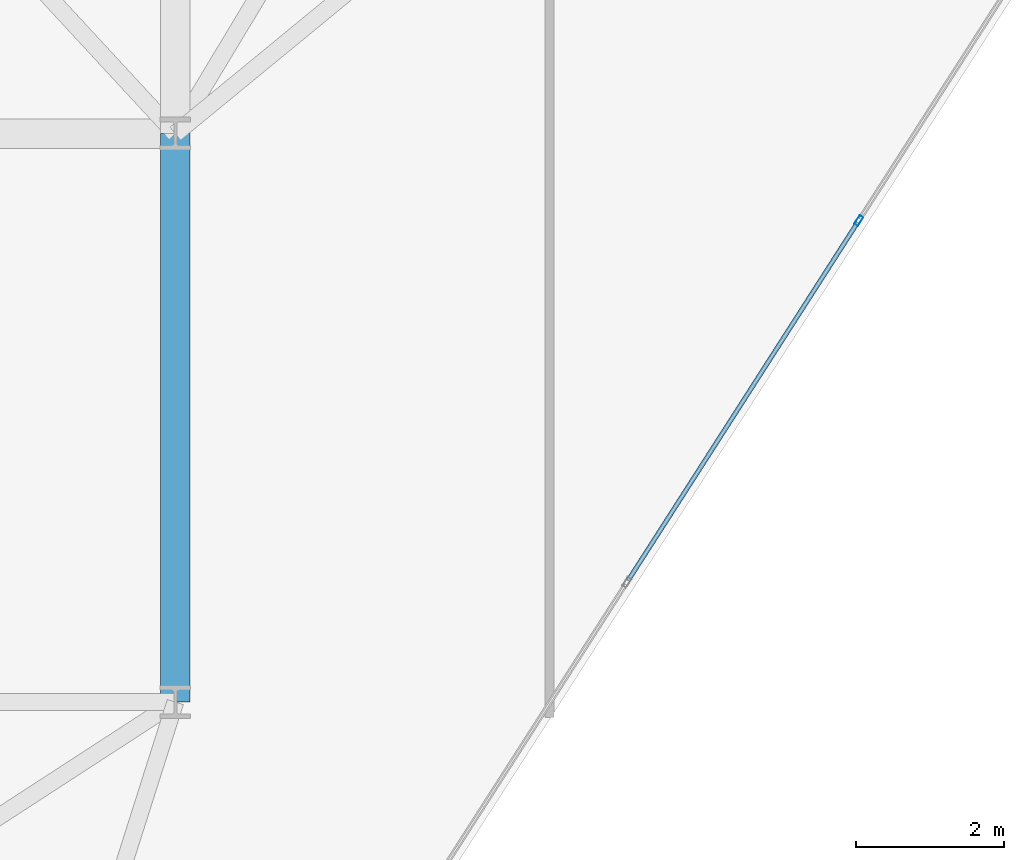
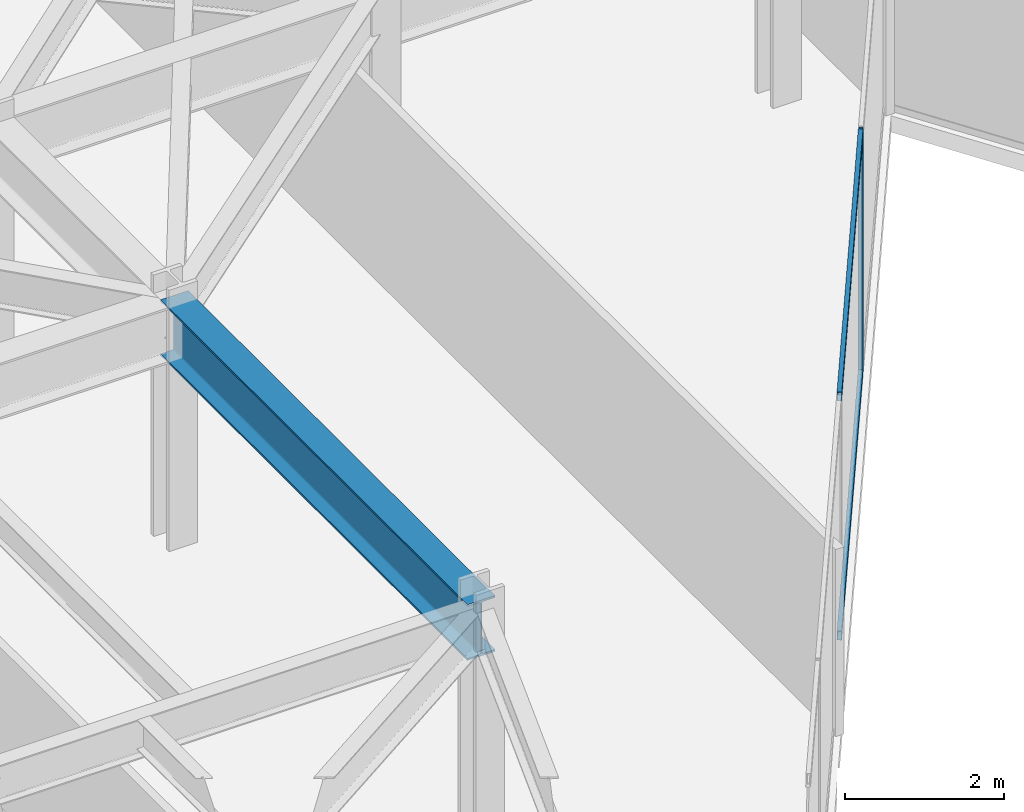
# One storey, part 8 of 26: 3 members, 1 beam, 1 element without a shape of its own.
"""IFC4 building model written with IfcOpenShell, lengths in metres."""

import ifcopenshell
import ifcopenshell.guid

model = None  # the IFC model being written
_history = None  # IfcOwnerHistory: only IFC2X3 demands one
_inside = {}  # id of a spatial element -> (the spatial element, [elements in it])
_under = {}  # id of a project, library or spatial element -> (it, [spatial elements below it])
_declared = {}  # id of a project -> (the project, [libraries it declares])
_typed = {}  # id of a type object -> (the type object, [elements of that type])
_made_of = {}  # id of a material, layer set ... -> (it, [elements and type objects made of it])


def new_model(schema):
    """Start an empty IFC model of exactly this schema.

    Asked for "IFC4X3", IfcOpenShell would pick the latest addendum, in which some entities
    have other attributes; the version numbers below select the first issue.
    IFC2X3 requires an IfcOwnerHistory on every rooted entity: one is made here for all.
    """
    global model, _history
    if schema == "IFC4X3":
        model = ifcopenshell.file(schema_version=(4, 3, 0, 0))
    else:
        model = ifcopenshell.file(schema=schema)
    _inside.clear()
    _under.clear()
    _declared.clear()
    _typed.clear()
    _made_of.clear()
    _history = None
    if model.schema == "IFC2X3":
        org = make("IfcOrganization", Name="unknown")
        user = make(
            "IfcPersonAndOrganization",
            ThePerson=make("IfcPerson", FamilyName="unknown"),
            TheOrganization=org,
        )
        app = make(
            "IfcApplication",
            ApplicationDeveloper=org,
            Version="unknown",
            ApplicationFullName="unknown",
            ApplicationIdentifier="unknown",
        )
        _history = make(
            "IfcOwnerHistory",
            OwningUser=user,
            OwningApplication=app,
            ChangeAction="ADDED",
            CreationDate=0,
        )
    return model


def make(cls, **values):
    """One entity of the class cls with the attributes given. An attribute that is None is left unset."""
    return model.create_entity(
        cls, **{name: value for name, value in values.items() if value is not None}
    )


def rooted(cls, **values):
    """An entity with a GlobalId (a new one), such as an element, a storey or a relation."""
    return make(cls, GlobalId=ifcopenshell.guid.new(), OwnerHistory=_history, **values)


def si_unit(unit_type, name, prefix=None):
    """IfcSIUnit, for example si_unit("LENGTHUNIT", "METRE", prefix="MILLI")."""
    return make("IfcSIUnit", UnitType=unit_type, Prefix=prefix, Name=name)


def assignment(units):
    """IfcUnitAssignment: the units of a project."""
    return None if units is None else make("IfcUnitAssignment", Units=units)


def point(xyz):
    """IfcCartesianPoint."""
    return None if xyz is None else make("IfcCartesianPoint", Coordinates=xyz)


def direction(xyz):
    """IfcDirection."""
    return None if xyz is None else make("IfcDirection", DirectionRatios=xyz)


def frame(location, z_axis=None, x_axis=None):
    """IfcAxis2Placement3D, a coordinate frame: its origin and axes. An axis left out is left unset."""
    return make(
        "IfcAxis2Placement3D",
        Location=point(location),
        Axis=direction(z_axis),
        RefDirection=direction(x_axis),
    )


def frame_2d(location, x_axis=None):
    """IfcAxis2Placement2D, a coordinate frame in the plane: its origin and x axis."""
    return make(
        "IfcAxis2Placement2D", Location=point(location), RefDirection=direction(x_axis)
    )


def origin():
    """The frame at (0, 0, 0) with its axes left unset."""
    return frame((0.0, 0.0, 0.0))


def origin_2d():
    """The frame at (0, 0) in the plane with its x axis left unset."""
    return frame_2d((0.0, 0.0))


def place(relative_to, where):
    """IfcLocalPlacement: puts the frame where relative to a parent placement (None: the world)."""
    return make(
        "IfcLocalPlacement", PlacementRelTo=relative_to, RelativePlacement=where
    )


def context(
    kind, dimensions, precision=None, world=None, true_north=None, identifier=None
):
    """IfcGeometricRepresentationContext, for example the 3D "Model" context."""
    return make(
        "IfcGeometricRepresentationContext",
        ContextIdentifier=identifier,
        ContextType=kind,
        CoordinateSpaceDimension=dimensions,
        Precision=precision,
        WorldCoordinateSystem=world,
        TrueNorth=true_north,
    )


def subcontext(parent, identifier, kind, view, scale=None):
    """IfcGeometricRepresentationSubContext, for example "Body" below "Model"."""
    return make(
        "IfcGeometricRepresentationSubContext",
        ContextIdentifier=identifier,
        ContextType=kind,
        ParentContext=parent,
        TargetScale=scale,
        TargetView=view,
    )


def project(units=None, contexts=None):
    """IfcProject with its units and contexts."""
    return rooted(
        "IfcProject",
        Name="project",
        RepresentationContexts=contexts,
        UnitsInContext=assignment(units),
    )


def spatial(cls, under=None, at=None, **own):
    """A site, building, storey or space (cls), placed at a placement, below another one or the project."""
    s = rooted(cls, ObjectPlacement=at, **own)
    if under is not None:
        _under.setdefault(under.id(), (under, []))[1].append(s)
    return s


def profile(cls, at=None, kind="AREA", **sizes):
    """A parametric profile (cls). Its sizes go by their IFC names, for example OverallWidth=200.0."""
    return make(cls, ProfileType=kind, Position=at, **sizes)


def hollow_rectangle(**sizes):
    """IfcRectangleHollowProfileDef."""
    return profile("IfcRectangleHollowProfileDef", **sizes)


def i_section(**sizes):
    """IfcIShapeProfileDef."""
    return profile("IfcIShapeProfileDef", **sizes)


def extrude(swept, where, along, depth):
    """IfcExtrudedAreaSolid: the profile swept, set in the frame where, extruded along a direction by depth."""
    return make(
        "IfcExtrudedAreaSolid",
        SweptArea=swept,
        Position=where,
        ExtrudedDirection=direction(along),
        Depth=depth,
    )


def shape(context_of_items, identifier, shape_type, items):
    """IfcShapeRepresentation: the items that make up one representation, for example the "Body"."""
    return make(
        "IfcShapeRepresentation",
        ContextOfItems=context_of_items,
        RepresentationIdentifier=identifier,
        RepresentationType=shape_type,
        Items=items,
    )


def material(Name=None, Category=None):
    """IfcMaterial."""
    return make("IfcMaterial", Name=Name, Category=Category)


def layer(
    of_material, thickness, ventilated=None, Name=None, Category=None, Priority=None
):
    """IfcMaterialLayer: one layer of a wall or slab, of a material (None: an air gap)."""
    return make(
        "IfcMaterialLayer",
        Material=of_material,
        LayerThickness=thickness,
        IsVentilated=ventilated,
        Name=Name,
        Category=Category,
        Priority=Priority,
    )


def layer_set(layers, Name=None):
    """IfcMaterialLayerSet."""
    return make("IfcMaterialLayerSet", MaterialLayers=layers, LayerSetName=Name)


def material_profile(
    of_material, cross_section, Name=None, Category=None, Priority=None
):
    """IfcMaterialProfile: a cross section and its material."""
    return make(
        "IfcMaterialProfile",
        Name=Name,
        Material=of_material,
        Profile=cross_section,
        Priority=Priority,
        Category=Category,
    )


def profile_set(profiles, Name=None, composite=None):
    """IfcMaterialProfileSet."""
    return make(
        "IfcMaterialProfileSet",
        Name=Name,
        MaterialProfiles=profiles,
        CompositeProfile=composite,
    )


def made_of(thing, what):
    """Note that an element or type object is made of a material, layer set ...; save() writes the relation."""
    if what is not None:
        _made_of.setdefault(what.id(), (what, []))[1].append(thing)
    return thing


def type_object(cls, material=None, **own):
    """A type object (cls), such as IfcWallType, which elements share."""
    return made_of(rooted(cls, **own), material)


def element(
    cls,
    number,
    at=None,
    inside=None,
    cuts=None,
    type_object=None,
    material=None,
    context=None,
    identifier="Body",
    shape_type=None,
    held_by="IfcProductDefinitionShape",
    body=None,
    shapes=None,
    **own,
):
    """One element of the class cls, such as IfcWall. Its Tag is "e" and its number.

    at: its placement. inside: the storey or other place that contains it. cuts: it is an
    opening in that element (IfcRelVoidsElement). A single representation is given by context,
    identifier, shape_type and body (its items); several are given by shapes. held_by: the class
    of the entity that holds the representations. save() writes the other relations.
    """
    e = rooted(cls, Tag="e%d" % number, ObjectPlacement=at, **own)
    if body is not None:
        shapes = [shape(context, identifier, shape_type, body)]
    if shapes is not None:
        e.Representation = make(held_by, Representations=shapes)
    if inside is not None:
        _inside.setdefault(inside.id(), (inside, []))[1].append(e)
    if cuts is not None:
        rooted(
            "IfcRelVoidsElement", RelatingBuildingElement=cuts, RelatedOpeningElement=e
        )
    if type_object is not None:
        _typed.setdefault(type_object.id(), (type_object, []))[1].append(e)
    return made_of(e, material)


def aggregate(whole, parts):
    """IfcRelAggregates: a whole, such as a stair, and the parts it consists of."""
    return rooted("IfcRelAggregates", RelatingObject=whole, RelatedObjects=parts)


def save(model, path):
    """Write the relations noted so far, then the file.

    IfcRelAggregates (storeys below a building ...), IfcRelContainedInSpatialStructure (elements
    in a storey), IfcRelDefinesByType, IfcRelAssociatesMaterial and IfcRelDeclares: one each for
    every whole, place, type object, material and project.
    """
    for whole, parts in _under.values():
        aggregate(whole, parts)
    for where, things in _inside.values():
        rooted(
            "IfcRelContainedInSpatialStructure",
            RelatedElements=things,
            RelatingStructure=where,
        )
    for kind, things in _typed.values():
        rooted("IfcRelDefinesByType", RelatedObjects=things, RelatingType=kind)
    for what, things in _made_of.values():
        rooted("IfcRelAssociatesMaterial", RelatedObjects=things, RelatingMaterial=what)
    for by, libraries in _declared.values():
        rooted("IfcRelDeclares", RelatingContext=by, RelatedDefinitions=libraries)
    model.write(path)


model = new_model("IFC4")

# Units and contexts
model_context = context("Model", 3, precision=1e-05, world=origin(), true_north=direction((0.0, 1.0)))
body_context = subcontext(model_context, "Body", "Model", "MODEL_VIEW")
ifc_project = project(units=[si_unit("LENGTHUNIT", "METRE"), si_unit("AREAUNIT", "SQUARE_METRE"), si_unit("VOLUMEUNIT", "CUBIC_METRE"), si_unit("PLANEANGLEUNIT", "RADIAN"), si_unit("MASSUNIT", "GRAM", prefix="KILO")], contexts=[model_context])

# Site, building, storey
site_placement = place(None, origin())
site = spatial("IfcSite", under=ifc_project, at=site_placement, CompositionType="ELEMENT")
building_placement = place(site_placement, origin())
building = spatial("IfcBuilding", under=site, at=building_placement, Name="Kravanh Interchange Tower", CompositionType="ELEMENT")
storey_placement = place(building_placement, frame((0.0, 0.0, 152.0)))
storey = spatial("IfcBuildingStorey", under=building, at=storey_placement, Name="L36", CompositionType="ELEMENT", Elevation=152.0)

# Curtain wall, members
ifc_material_1 = material(Name="Anodised Bronze Aluminium", Category="aluminium")
ifc_layer = layer(ifc_material_1, 0.179931640625)
ifc_layer_set = layer_set([ifc_layer], Name="Unitised Curtain Wall System CW-Z2 Mid Office")
curtain_wall_type = type_object("IfcCurtainWallType", Name="Unitised Curtain Wall System CW-Z2 Mid Office", PredefinedType="NOTDEFINED", material=ifc_layer_set)
curtain_wall_placement = place(storey_placement, origin())
curtain_wall = element("IfcCurtainWall", 1, at=curtain_wall_placement, inside=storey, type_object=curtain_wall_type, Name="L36 Unitised Curtain Wall CW-L36-05", PredefinedType="NOTDEFINED")
ifc_material_2 = material(Name="Anodised Bronze Aluminium", Category="aluminium")
ifc_material_profile_1 = material_profile(ifc_material_2, hollow_rectangle(XDim=0.06005859375, YDim=0.139892578125, WallThickness=0.00390625, at=origin_2d()), Name="ALU60X140X4")
ifc_profile_set_1 = profile_set([ifc_material_profile_1], Name="Anodised Bronze Aluminium")
member_type_1 = type_object("IfcMemberType", Name="Curtain Wall Mullion ALU60X140X4 Bronze", PredefinedType="MULLION", material=ifc_profile_set_1)
member_1_placement = place(storey_placement, frame((36.45849609375, 21.021728515625, 0.0), z_axis=(0.0, 0.0, 1.0), x_axis=(0.841879939476, -0.539664865919, 0.0)))
member_1 = element("IfcMember", 2, at=member_1_placement, type_object=member_type_1, Name="CW-Z2 mullion 2", PredefinedType="MULLION", context=body_context, shape_type="SweptSolid", body=[
    extrude(hollow_rectangle(XDim=0.06005859375, YDim=0.139892578125, WallThickness=0.00390625, at=origin_2d()), origin(), (0.0, 0.0, 1.0), 3.719970703125),
])
ifc_material_3 = material(Name="Anodised Bronze Aluminium", Category="aluminium")
ifc_material_profile_2 = material_profile(ifc_material_3, hollow_rectangle(XDim=0.06005859375, YDim=0.139892578125, WallThickness=0.00390625, at=origin_2d()), Name="ALU60X140X4")
ifc_profile_set_2 = profile_set([ifc_material_profile_2], Name="Anodised Bronze Aluminium")
member_type_2 = type_object("IfcMemberType", Name="Curtain Wall Transom ALU60X140X4 Bronze", PredefinedType="USERDEFINED", material=ifc_profile_set_2)
member_2_placement = place(storey_placement, frame((36.4423828125, 20.99658203125, 0.030029296875), z_axis=(-0.539647630778, -0.841890987359, 0.0), x_axis=(0.841890987359, -0.539647630778, 0.0)))
member_2 = element("IfcMember", 3, at=member_2_placement, type_object=member_type_2, Name="CW-Z2 transom 2.1", ObjectType="TRANSOM", PredefinedType="USERDEFINED", context=body_context, shape_type="SweptSolid", body=[
    extrude(hollow_rectangle(XDim=0.06005859375, YDim=0.139892578125, WallThickness=0.00390625, at=origin_2d()), origin(), (0.0, 0.0, 1.0), 5.760986328125),
])
member_3_placement = place(storey_placement, frame((36.4423828125, 20.99658203125, 3.68994140625), z_axis=(-0.539647630778, -0.841890987359, 0.0), x_axis=(0.841890987359, -0.539647630778, 0.0)))
member_3 = element("IfcMember", 4, at=member_3_placement, type_object=member_type_2, Name="CW-Z2 transom 2.2", ObjectType="TRANSOM", PredefinedType="USERDEFINED", context=body_context, shape_type="SweptSolid", body=[
    extrude(hollow_rectangle(XDim=0.06005859375, YDim=0.139892578125, WallThickness=0.00390625, at=origin_2d()), origin(), (0.0, 0.0, 1.0), 5.760986328125),
])
aggregate(curtain_wall, [member_1, member_2, member_3])

# Beam
ifc_material_4 = material(Name="Structural Steel S355", Category="steel")
ifc_material_profile_3 = material_profile(ifc_material_4, i_section(OverallWidth=0.39990234375, OverallDepth=0.85595703125, WebThickness=0.018310546875, FlangeThickness=0.029296875, FilletRadius=0.02490234375, at=origin_2d()), Name="W33X201")
ifc_profile_set_3 = profile_set([ifc_material_profile_3], Name="Structural Steel S355")
beam_type = type_object("IfcBeamType", Name="Floor Beam W33X201 Structural Steel S355", PredefinedType="BEAM", material=ifc_profile_set_3)
beam_placement = place(storey_placement, frame((27.199951171875, 14.5, 3.2919921875), z_axis=(0.0, 1.0, 0.0), x_axis=(-1.0, 0.0, 0.0)))
element("IfcBeam", 5, at=beam_placement, inside=storey, type_object=beam_type, Name="L36 Primary Floor Girder 102", PredefinedType="BEAM", context=body_context, shape_type="SweptSolid", body=[
    extrude(i_section(OverallWidth=0.39990234375, OverallDepth=0.85595703125, WebThickness=0.018310546875, FlangeThickness=0.029296875, FilletRadius=0.02490234375, at=origin_2d()), origin(), (0.0, 0.0, 1.0), 7.699951171875),
])

save(model, "model.ifc")
